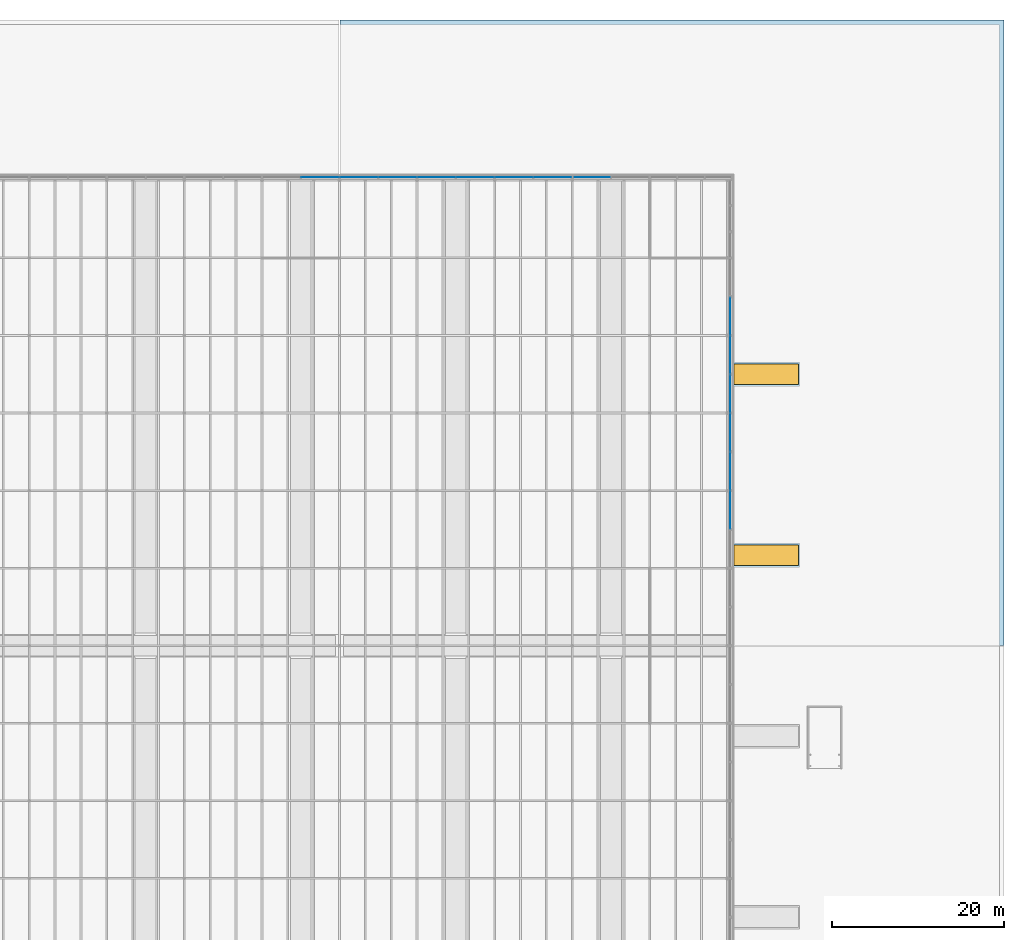
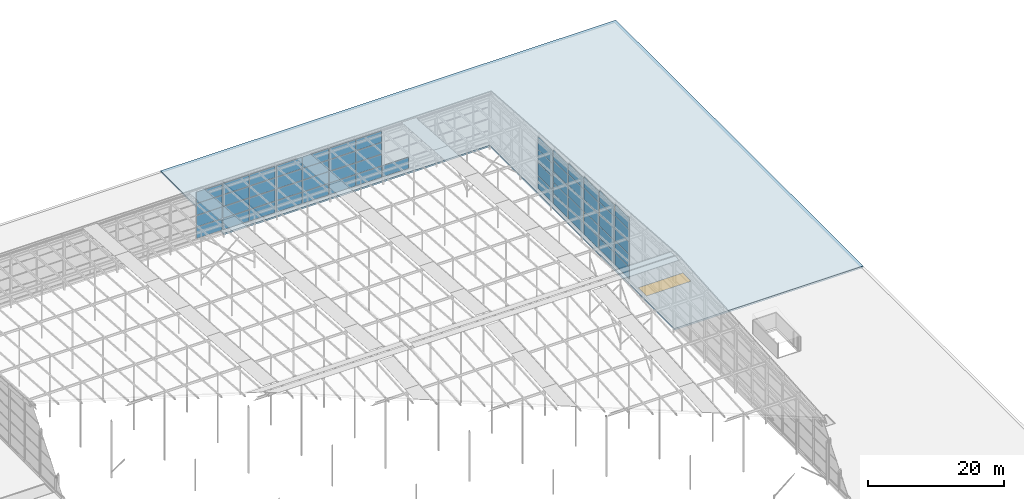
"""IFC4 building model written with IfcOpenShell, lengths in metres."""

import ifcopenshell
import ifcopenshell.guid

model = None  # the IFC model being written
_history = None  # IfcOwnerHistory: only IFC2X3 demands one
_inside = {}  # id of a spatial element -> (the spatial element, [elements in it])
_under = {}  # id of a project, library or spatial element -> (it, [spatial elements below it])
_declared = {}  # id of a project -> (the project, [libraries it declares])
_typed = {}  # id of a type object -> (the type object, [elements of that type])
_made_of = {}  # id of a material, layer set ... -> (it, [elements and type objects made of it])


def new_model(schema):
    """Start an empty IFC model of exactly this schema.

    Asked for "IFC4X3", IfcOpenShell would pick the latest addendum, in which some entities
    have other attributes; the version numbers below select the first issue.
    IFC2X3 requires an IfcOwnerHistory on every rooted entity: one is made here for all.
    """
    global model, _history
    if schema == "IFC4X3":
        model = ifcopenshell.file(schema_version=(4, 3, 0, 0))
    else:
        model = ifcopenshell.file(schema=schema)
    _inside.clear()
    _under.clear()
    _declared.clear()
    _typed.clear()
    _made_of.clear()
    _history = None
    if model.schema == "IFC2X3":
        org = make("IfcOrganization", Name="unknown")
        user = make(
            "IfcPersonAndOrganization",
            ThePerson=make("IfcPerson", FamilyName="unknown"),
            TheOrganization=org,
        )
        app = make(
            "IfcApplication",
            ApplicationDeveloper=org,
            Version="unknown",
            ApplicationFullName="unknown",
            ApplicationIdentifier="unknown",
        )
        _history = make(
            "IfcOwnerHistory",
            OwningUser=user,
            OwningApplication=app,
            ChangeAction="ADDED",
            CreationDate=0,
        )
    return model


def make(cls, **values):
    """One entity of the class cls with the attributes given. An attribute that is None is left unset."""
    return model.create_entity(
        cls, **{name: value for name, value in values.items() if value is not None}
    )


def rooted(cls, **values):
    """An entity with a GlobalId (a new one), such as an element, a storey or a relation."""
    return make(cls, GlobalId=ifcopenshell.guid.new(), OwnerHistory=_history, **values)


def si_unit(unit_type, name, prefix=None):
    """IfcSIUnit, for example si_unit("LENGTHUNIT", "METRE", prefix="MILLI")."""
    return make("IfcSIUnit", UnitType=unit_type, Prefix=prefix, Name=name)


def assignment(units):
    """IfcUnitAssignment: the units of a project."""
    return None if units is None else make("IfcUnitAssignment", Units=units)


def point(xyz):
    """IfcCartesianPoint."""
    return None if xyz is None else make("IfcCartesianPoint", Coordinates=xyz)


def direction(xyz):
    """IfcDirection."""
    return None if xyz is None else make("IfcDirection", DirectionRatios=xyz)


def frame(location, z_axis=None, x_axis=None):
    """IfcAxis2Placement3D, a coordinate frame: its origin and axes. An axis left out is left unset."""
    return make(
        "IfcAxis2Placement3D",
        Location=point(location),
        Axis=direction(z_axis),
        RefDirection=direction(x_axis),
    )


def frame_2d(location, x_axis=None):
    """IfcAxis2Placement2D, a coordinate frame in the plane: its origin and x axis."""
    return make(
        "IfcAxis2Placement2D", Location=point(location), RefDirection=direction(x_axis)
    )


def origin():
    """The frame at (0, 0, 0) with its axes left unset."""
    return frame((0.0, 0.0, 0.0))


def origin_2d():
    """The frame at (0, 0) in the plane with its x axis left unset."""
    return frame_2d((0.0, 0.0))


def place(relative_to, where):
    """IfcLocalPlacement: puts the frame where relative to a parent placement (None: the world)."""
    return make(
        "IfcLocalPlacement", PlacementRelTo=relative_to, RelativePlacement=where
    )


def context(
    kind, dimensions, precision=None, world=None, true_north=None, identifier=None
):
    """IfcGeometricRepresentationContext, for example the 3D "Model" context."""
    return make(
        "IfcGeometricRepresentationContext",
        ContextIdentifier=identifier,
        ContextType=kind,
        CoordinateSpaceDimension=dimensions,
        Precision=precision,
        WorldCoordinateSystem=world,
        TrueNorth=true_north,
    )


def subcontext(parent, identifier, kind, view, scale=None):
    """IfcGeometricRepresentationSubContext, for example "Body" below "Model"."""
    return make(
        "IfcGeometricRepresentationSubContext",
        ContextIdentifier=identifier,
        ContextType=kind,
        ParentContext=parent,
        TargetScale=scale,
        TargetView=view,
    )


def project(units=None, contexts=None):
    """IfcProject with its units and contexts."""
    return rooted(
        "IfcProject",
        Name="project",
        RepresentationContexts=contexts,
        UnitsInContext=assignment(units),
    )


def spatial(cls, under=None, at=None, **own):
    """A site, building, storey or space (cls), placed at a placement, below another one or the project."""
    s = rooted(cls, ObjectPlacement=at, **own)
    if under is not None:
        _under.setdefault(under.id(), (under, []))[1].append(s)
    return s


def polyline(points):
    """IfcPolyline through the points."""
    return make("IfcPolyline", Points=[point(p) for p in points])


def profile(cls, at=None, kind="AREA", **sizes):
    """A parametric profile (cls). Its sizes go by their IFC names, for example OverallWidth=200.0."""
    return make(cls, ProfileType=kind, Position=at, **sizes)


def rectangle(**sizes):
    """IfcRectangleProfileDef."""
    return profile("IfcRectangleProfileDef", **sizes)


def outline(outer, holes=None, kind="AREA"):
    """IfcArbitraryClosedProfileDef: a profile drawn as a closed curve; with holes, ...WithVoids."""
    if holes is None:
        return make("IfcArbitraryClosedProfileDef", ProfileType=kind, OuterCurve=outer)
    return make(
        "IfcArbitraryProfileDefWithVoids",
        ProfileType=kind,
        OuterCurve=outer,
        InnerCurves=holes,
    )


def extrude(swept, where, along, depth):
    """IfcExtrudedAreaSolid: the profile swept, set in the frame where, extruded along a direction by depth."""
    return make(
        "IfcExtrudedAreaSolid",
        SweptArea=swept,
        Position=where,
        ExtrudedDirection=direction(along),
        Depth=depth,
    )


def shape(context_of_items, identifier, shape_type, items):
    """IfcShapeRepresentation: the items that make up one representation, for example the "Body"."""
    return make(
        "IfcShapeRepresentation",
        ContextOfItems=context_of_items,
        RepresentationIdentifier=identifier,
        RepresentationType=shape_type,
        Items=items,
    )


def material(Name=None, Category=None):
    """IfcMaterial."""
    return make("IfcMaterial", Name=Name, Category=Category)


def layer(
    of_material, thickness, ventilated=None, Name=None, Category=None, Priority=None
):
    """IfcMaterialLayer: one layer of a wall or slab, of a material (None: an air gap)."""
    return make(
        "IfcMaterialLayer",
        Material=of_material,
        LayerThickness=thickness,
        IsVentilated=ventilated,
        Name=Name,
        Category=Category,
        Priority=Priority,
    )


def layer_set(layers, Name=None):
    """IfcMaterialLayerSet."""
    return make("IfcMaterialLayerSet", MaterialLayers=layers, LayerSetName=Name)


def made_of(thing, what):
    """Note that an element or type object is made of a material, layer set ...; save() writes the relation."""
    if what is not None:
        _made_of.setdefault(what.id(), (what, []))[1].append(thing)
    return thing


def type_object(cls, material=None, **own):
    """A type object (cls), such as IfcWallType, which elements share."""
    return made_of(rooted(cls, **own), material)


def element(
    cls,
    number,
    at=None,
    inside=None,
    cuts=None,
    type_object=None,
    material=None,
    context=None,
    identifier="Body",
    shape_type=None,
    held_by="IfcProductDefinitionShape",
    body=None,
    shapes=None,
    **own,
):
    """One element of the class cls, such as IfcWall. Its Tag is "e" and its number.

    at: its placement. inside: the storey or other place that contains it. cuts: it is an
    opening in that element (IfcRelVoidsElement). A single representation is given by context,
    identifier, shape_type and body (its items); several are given by shapes. held_by: the class
    of the entity that holds the representations. save() writes the other relations.
    """
    e = rooted(cls, Tag="e%d" % number, ObjectPlacement=at, **own)
    if body is not None:
        shapes = [shape(context, identifier, shape_type, body)]
    if shapes is not None:
        e.Representation = make(held_by, Representations=shapes)
    if inside is not None:
        _inside.setdefault(inside.id(), (inside, []))[1].append(e)
    if cuts is not None:
        rooted(
            "IfcRelVoidsElement", RelatingBuildingElement=cuts, RelatedOpeningElement=e
        )
    if type_object is not None:
        _typed.setdefault(type_object.id(), (type_object, []))[1].append(e)
    return made_of(e, material)


def fill(opening, filler):
    """IfcRelFillsElement: the door or window that sits in an opening."""
    return rooted(
        "IfcRelFillsElement",
        RelatingOpeningElement=opening,
        RelatedBuildingElement=filler,
    )


def aggregate(whole, parts):
    """IfcRelAggregates: a whole, such as a stair, and the parts it consists of."""
    return rooted("IfcRelAggregates", RelatingObject=whole, RelatedObjects=parts)


def save(model, path):
    """Write the relations noted so far, then the file.

    IfcRelAggregates (storeys below a building ...), IfcRelContainedInSpatialStructure (elements
    in a storey), IfcRelDefinesByType, IfcRelAssociatesMaterial and IfcRelDeclares: one each for
    every whole, place, type object, material and project.
    """
    for whole, parts in _under.values():
        aggregate(whole, parts)
    for where, things in _inside.values():
        rooted(
            "IfcRelContainedInSpatialStructure",
            RelatedElements=things,
            RelatingStructure=where,
        )
    for kind, things in _typed.values():
        rooted("IfcRelDefinesByType", RelatedObjects=things, RelatingType=kind)
    for what, things in _made_of.values():
        rooted("IfcRelAssociatesMaterial", RelatedObjects=things, RelatingMaterial=what)
    for by, libraries in _declared.values():
        rooted("IfcRelDeclares", RelatingContext=by, RelatedDefinitions=libraries)
    model.write(path)


model = new_model("IFC4")

# Units and contexts
model_context = context("Model", 3, precision=1e-05, world=origin(), true_north=direction((0.0, 1.0)))
body_context = subcontext(model_context, "Body", "Model", "MODEL_VIEW")
ifc_project = project(units=[si_unit("LENGTHUNIT", "METRE"), si_unit("AREAUNIT", "SQUARE_METRE"), si_unit("VOLUMEUNIT", "CUBIC_METRE"), si_unit("PLANEANGLEUNIT", "RADIAN"), si_unit("MASSUNIT", "GRAM", prefix="KILO")], contexts=[model_context])

# Site, building, storey
site_placement = place(None, origin())
site = spatial("IfcSite", under=ifc_project, at=site_placement, CompositionType="ELEMENT")
building_placement = place(site_placement, origin())
building = spatial("IfcBuilding", under=site, at=building_placement, Name="Silverbay Arena", CompositionType="ELEMENT")
storey_1_placement = place(building_placement, frame((0.0, 0.0, 47.10009765625)))
storey_1 = spatial("IfcBuildingStorey", under=building, at=storey_1_placement, Name="ROOF", CompositionType="ELEMENT", Elevation=47.10009765625)

# Curtain wall, plates
ifc_material_1 = material(Name="Aluminium framed glazing", Category="aluminium")
curtain_wall_type_1 = type_object("IfcCurtainWallType", Name="Curtain wall crown 9000 x 8425", PredefinedType="NOTDEFINED", material=ifc_material_1)
curtain_wall_1_placement = place(storey_1_placement, origin())
curtain_wall_1 = element("IfcCurtainWall", 1, at=curtain_wall_1_placement, inside=storey_1, type_object=curtain_wall_type_1, Name="ROOF CROWN CURTAIN WALL north bay 06", PredefinedType="NOTDEFINED")
ifc_material_2 = material(Name="Laminated glass", Category="glass")
ifc_layer_1 = layer(ifc_material_2, 0.031982421875)
ifc_layer_set_1 = layer_set([ifc_layer_1], Name="Laminated glass")
plate_type = type_object("IfcPlateType", Name="Glass panel 32", PredefinedType="CURTAIN_PANEL", material=ifc_layer_set_1)
storey_2_placement = place(building_placement, frame((0.0, 0.0, 33.5)))
plate_1_placement = place(storey_2_placement, frame((132.72509765625, 135.35009765625, 14.110107421875), z_axis=(0.0, 0.0, 1.0), x_axis=(1.0, 0.0, 0.0)))
plate_1 = element("IfcPlate", 2, at=plate_1_placement, type_object=plate_type, Name="CW62 panel 2.1", PredefinedType="CURTAIN_PANEL", context=body_context, shape_type="SweptSolid", body=[
    extrude(rectangle(XDim=4.35009765625, YDim=0.031982421875, at=origin_2d()), origin(), (0.0, 0.0, 1.0), 2.01611328125),
])
plate_2_placement = place(storey_2_placement, frame((132.72509765625, 135.35009765625, 16.18603515625), z_axis=(0.0, 0.0, 1.0), x_axis=(1.0, 0.0, 0.0)))
plate_2 = element("IfcPlate", 3, at=plate_2_placement, type_object=plate_type, Name="CW62 panel 2.2", PredefinedType="CURTAIN_PANEL", context=body_context, shape_type="SweptSolid", body=[
    extrude(rectangle(XDim=4.35009765625, YDim=0.031982421875, at=origin_2d()), origin(), (0.0, 0.0, 1.0), 2.046142578125),
])
plate_3_placement = place(storey_2_placement, frame((132.72509765625, 135.35009765625, 18.29248046875), z_axis=(0.0, 0.0, 1.0), x_axis=(1.0, 0.0, 0.0)))
plate_3 = element("IfcPlate", 4, at=plate_3_placement, type_object=plate_type, Name="CW62 panel 2.3", PredefinedType="CURTAIN_PANEL", context=body_context, shape_type="SweptSolid", body=[
    extrude(rectangle(XDim=4.35009765625, YDim=0.031982421875, at=origin_2d()), origin(), (0.0, 0.0, 1.0), 2.046142578125),
])
plate_4_placement = place(storey_2_placement, frame((132.72509765625, 135.35009765625, 20.398681640625), z_axis=(0.0, 0.0, 1.0), x_axis=(1.0, 0.0, 0.0)))
plate_4 = element("IfcPlate", 5, at=plate_4_placement, type_object=plate_type, Name="CW62 panel 2.4", PredefinedType="CURTAIN_PANEL", context=body_context, shape_type="SweptSolid", body=[
    extrude(rectangle(XDim=4.35009765625, YDim=0.031982421875, at=origin_2d()), origin(), (0.0, 0.0, 1.0), 2.01611328125),
])
aggregate(curtain_wall_1, [plate_1, plate_2, plate_3, plate_4])

curtain_wall_2_placement = place(storey_1_placement, origin())
curtain_wall_2 = element("IfcCurtainWall", 6, at=curtain_wall_2_placement, inside=storey_1, type_object=curtain_wall_type_1, Name="ROOF CROWN CURTAIN WALL north bay 07", PredefinedType="NOTDEFINED")
plate_5_placement = place(storey_2_placement, frame((137.27490234375, 135.35009765625, 14.110107421875), z_axis=(0.0, 0.0, 1.0), x_axis=(1.0, 0.0, 0.0)))
plate_5 = element("IfcPlate", 7, at=plate_5_placement, type_object=plate_type, Name="CW62 panel 1.1", PredefinedType="CURTAIN_PANEL", context=body_context, shape_type="SweptSolid", body=[
    extrude(rectangle(XDim=4.35009765625, YDim=0.031982421875, at=origin_2d()), origin(), (0.0, 0.0, 1.0), 2.01611328125),
])
plate_6_placement = place(storey_2_placement, frame((137.27490234375, 135.35009765625, 16.18603515625), z_axis=(0.0, 0.0, 1.0), x_axis=(1.0, 0.0, 0.0)))
plate_6 = element("IfcPlate", 8, at=plate_6_placement, type_object=plate_type, Name="CW62 panel 1.2", PredefinedType="CURTAIN_PANEL", context=body_context, shape_type="SweptSolid", body=[
    extrude(rectangle(XDim=4.35009765625, YDim=0.031982421875, at=origin_2d()), origin(), (0.0, 0.0, 1.0), 2.046142578125),
])
plate_7_placement = place(storey_2_placement, frame((137.27490234375, 135.35009765625, 18.29248046875), z_axis=(0.0, 0.0, 1.0), x_axis=(1.0, 0.0, 0.0)))
plate_7 = element("IfcPlate", 9, at=plate_7_placement, type_object=plate_type, Name="CW62 panel 1.3", PredefinedType="CURTAIN_PANEL", context=body_context, shape_type="SweptSolid", body=[
    extrude(rectangle(XDim=4.35009765625, YDim=0.031982421875, at=origin_2d()), origin(), (0.0, 0.0, 1.0), 2.046142578125),
])
plate_8_placement = place(storey_2_placement, frame((137.27490234375, 135.35009765625, 20.398681640625), z_axis=(0.0, 0.0, 1.0), x_axis=(1.0, 0.0, 0.0)))
plate_8 = element("IfcPlate", 10, at=plate_8_placement, type_object=plate_type, Name="CW62 panel 1.4", PredefinedType="CURTAIN_PANEL", context=body_context, shape_type="SweptSolid", body=[
    extrude(rectangle(XDim=4.35009765625, YDim=0.031982421875, at=origin_2d()), origin(), (0.0, 0.0, 1.0), 2.01611328125),
])
plate_9_placement = place(storey_2_placement, frame((141.72509765625, 135.35009765625, 14.110107421875), z_axis=(0.0, 0.0, 1.0), x_axis=(1.0, 0.0, 0.0)))
plate_9 = element("IfcPlate", 11, at=plate_9_placement, type_object=plate_type, Name="CW62 panel 2.1", PredefinedType="CURTAIN_PANEL", context=body_context, shape_type="SweptSolid", body=[
    extrude(rectangle(XDim=4.35009765625, YDim=0.031982421875, at=origin_2d()), origin(), (0.0, 0.0, 1.0), 2.01611328125),
])
plate_10_placement = place(storey_2_placement, frame((141.72509765625, 135.35009765625, 16.18603515625), z_axis=(0.0, 0.0, 1.0), x_axis=(1.0, 0.0, 0.0)))
plate_10 = element("IfcPlate", 12, at=plate_10_placement, type_object=plate_type, Name="CW62 panel 2.2", PredefinedType="CURTAIN_PANEL", context=body_context, shape_type="SweptSolid", body=[
    extrude(rectangle(XDim=4.35009765625, YDim=0.031982421875, at=origin_2d()), origin(), (0.0, 0.0, 1.0), 2.046142578125),
])
plate_11_placement = place(storey_2_placement, frame((141.72509765625, 135.35009765625, 18.29248046875), z_axis=(0.0, 0.0, 1.0), x_axis=(1.0, 0.0, 0.0)))
plate_11 = element("IfcPlate", 13, at=plate_11_placement, type_object=plate_type, Name="CW62 panel 2.3", PredefinedType="CURTAIN_PANEL", context=body_context, shape_type="SweptSolid", body=[
    extrude(rectangle(XDim=4.35009765625, YDim=0.031982421875, at=origin_2d()), origin(), (0.0, 0.0, 1.0), 2.046142578125),
])
plate_12_placement = place(storey_2_placement, frame((141.72509765625, 135.35009765625, 20.398681640625), z_axis=(0.0, 0.0, 1.0), x_axis=(1.0, 0.0, 0.0)))
plate_12 = element("IfcPlate", 14, at=plate_12_placement, type_object=plate_type, Name="CW62 panel 2.4", PredefinedType="CURTAIN_PANEL", context=body_context, shape_type="SweptSolid", body=[
    extrude(rectangle(XDim=4.35009765625, YDim=0.031982421875, at=origin_2d()), origin(), (0.0, 0.0, 1.0), 2.01611328125),
])
aggregate(curtain_wall_2, [plate_5, plate_6, plate_7, plate_8, plate_9, plate_10, plate_11, plate_12])

curtain_wall_3_placement = place(storey_1_placement, origin())
curtain_wall_3 = element("IfcCurtainWall", 15, at=curtain_wall_3_placement, inside=storey_1, type_object=curtain_wall_type_1, Name="ROOF CROWN CURTAIN WALL north bay 08", PredefinedType="NOTDEFINED")
plate_13_placement = place(storey_2_placement, frame((146.27490234375, 135.35009765625, 14.110107421875), z_axis=(0.0, 0.0, 1.0), x_axis=(1.0, 0.0, 0.0)))
plate_13 = element("IfcPlate", 16, at=plate_13_placement, type_object=plate_type, Name="CW62 panel 1.1", PredefinedType="CURTAIN_PANEL", context=body_context, shape_type="SweptSolid", body=[
    extrude(rectangle(XDim=4.35009765625, YDim=0.031982421875, at=origin_2d()), origin(), (0.0, 0.0, 1.0), 2.01611328125),
])
plate_14_placement = place(storey_2_placement, frame((146.27490234375, 135.35009765625, 16.18603515625), z_axis=(0.0, 0.0, 1.0), x_axis=(1.0, 0.0, 0.0)))
plate_14 = element("IfcPlate", 17, at=plate_14_placement, type_object=plate_type, Name="CW62 panel 1.2", PredefinedType="CURTAIN_PANEL", context=body_context, shape_type="SweptSolid", body=[
    extrude(rectangle(XDim=4.35009765625, YDim=0.031982421875, at=origin_2d()), origin(), (0.0, 0.0, 1.0), 2.046142578125),
])
plate_15_placement = place(storey_2_placement, frame((146.27490234375, 135.35009765625, 18.29248046875), z_axis=(0.0, 0.0, 1.0), x_axis=(1.0, 0.0, 0.0)))
plate_15 = element("IfcPlate", 18, at=plate_15_placement, type_object=plate_type, Name="CW62 panel 1.3", PredefinedType="CURTAIN_PANEL", context=body_context, shape_type="SweptSolid", body=[
    extrude(rectangle(XDim=4.35009765625, YDim=0.031982421875, at=origin_2d()), origin(), (0.0, 0.0, 1.0), 2.046142578125),
])
plate_16_placement = place(storey_2_placement, frame((146.27490234375, 135.35009765625, 20.398681640625), z_axis=(0.0, 0.0, 1.0), x_axis=(1.0, 0.0, 0.0)))
plate_16 = element("IfcPlate", 19, at=plate_16_placement, type_object=plate_type, Name="CW62 panel 1.4", PredefinedType="CURTAIN_PANEL", context=body_context, shape_type="SweptSolid", body=[
    extrude(rectangle(XDim=4.35009765625, YDim=0.031982421875, at=origin_2d()), origin(), (0.0, 0.0, 1.0), 2.01611328125),
])
plate_17_placement = place(storey_2_placement, frame((150.72509765625, 135.35009765625, 14.110107421875), z_axis=(0.0, 0.0, 1.0), x_axis=(1.0, 0.0, 0.0)))
plate_17 = element("IfcPlate", 20, at=plate_17_placement, type_object=plate_type, Name="CW62 panel 2.1", PredefinedType="CURTAIN_PANEL", context=body_context, shape_type="SweptSolid", body=[
    extrude(rectangle(XDim=4.35009765625, YDim=0.031982421875, at=origin_2d()), origin(), (0.0, 0.0, 1.0), 2.01611328125),
])
plate_18_placement = place(storey_2_placement, frame((150.72509765625, 135.35009765625, 16.18603515625), z_axis=(0.0, 0.0, 1.0), x_axis=(1.0, 0.0, 0.0)))
plate_18 = element("IfcPlate", 21, at=plate_18_placement, type_object=plate_type, Name="CW62 panel 2.2", PredefinedType="CURTAIN_PANEL", context=body_context, shape_type="SweptSolid", body=[
    extrude(rectangle(XDim=4.35009765625, YDim=0.031982421875, at=origin_2d()), origin(), (0.0, 0.0, 1.0), 2.046142578125),
])
plate_19_placement = place(storey_2_placement, frame((150.72509765625, 135.35009765625, 18.29248046875), z_axis=(0.0, 0.0, 1.0), x_axis=(1.0, 0.0, 0.0)))
plate_19 = element("IfcPlate", 22, at=plate_19_placement, type_object=plate_type, Name="CW62 panel 2.3", PredefinedType="CURTAIN_PANEL", context=body_context, shape_type="SweptSolid", body=[
    extrude(rectangle(XDim=4.35009765625, YDim=0.031982421875, at=origin_2d()), origin(), (0.0, 0.0, 1.0), 2.046142578125),
])
plate_20_placement = place(storey_2_placement, frame((150.72509765625, 135.35009765625, 20.398681640625), z_axis=(0.0, 0.0, 1.0), x_axis=(1.0, 0.0, 0.0)))
plate_20 = element("IfcPlate", 23, at=plate_20_placement, type_object=plate_type, Name="CW62 panel 2.4", PredefinedType="CURTAIN_PANEL", context=body_context, shape_type="SweptSolid", body=[
    extrude(rectangle(XDim=4.35009765625, YDim=0.031982421875, at=origin_2d()), origin(), (0.0, 0.0, 1.0), 2.01611328125),
])
aggregate(curtain_wall_3, [plate_13, plate_14, plate_15, plate_16, plate_17, plate_18, plate_19, plate_20])

curtain_wall_4_placement = place(storey_1_placement, origin())
curtain_wall_4 = element("IfcCurtainWall", 24, at=curtain_wall_4_placement, inside=storey_1, type_object=curtain_wall_type_1, Name="ROOF CROWN CURTAIN WALL north bay 09", PredefinedType="NOTDEFINED")
plate_21_placement = place(storey_2_placement, frame((155.27490234375, 135.35009765625, 14.110107421875), z_axis=(0.0, 0.0, 1.0), x_axis=(1.0, 0.0, 0.0)))
plate_21 = element("IfcPlate", 25, at=plate_21_placement, type_object=plate_type, Name="CW62 panel 1.1", PredefinedType="CURTAIN_PANEL", context=body_context, shape_type="SweptSolid", body=[
    extrude(rectangle(XDim=4.35009765625, YDim=0.031982421875, at=origin_2d()), origin(), (0.0, 0.0, 1.0), 2.01611328125),
])
plate_22_placement = place(storey_2_placement, frame((155.27490234375, 135.35009765625, 16.18603515625), z_axis=(0.0, 0.0, 1.0), x_axis=(1.0, 0.0, 0.0)))
plate_22 = element("IfcPlate", 26, at=plate_22_placement, type_object=plate_type, Name="CW62 panel 1.2", PredefinedType="CURTAIN_PANEL", context=body_context, shape_type="SweptSolid", body=[
    extrude(rectangle(XDim=4.35009765625, YDim=0.031982421875, at=origin_2d()), origin(), (0.0, 0.0, 1.0), 2.046142578125),
])
plate_23_placement = place(storey_2_placement, frame((155.27490234375, 135.35009765625, 18.29248046875), z_axis=(0.0, 0.0, 1.0), x_axis=(1.0, 0.0, 0.0)))
plate_23 = element("IfcPlate", 27, at=plate_23_placement, type_object=plate_type, Name="CW62 panel 1.3", PredefinedType="CURTAIN_PANEL", context=body_context, shape_type="SweptSolid", body=[
    extrude(rectangle(XDim=4.35009765625, YDim=0.031982421875, at=origin_2d()), origin(), (0.0, 0.0, 1.0), 2.046142578125),
])
plate_24_placement = place(storey_2_placement, frame((155.27490234375, 135.35009765625, 20.398681640625), z_axis=(0.0, 0.0, 1.0), x_axis=(1.0, 0.0, 0.0)))
plate_24 = element("IfcPlate", 28, at=plate_24_placement, type_object=plate_type, Name="CW62 panel 1.4", PredefinedType="CURTAIN_PANEL", context=body_context, shape_type="SweptSolid", body=[
    extrude(rectangle(XDim=4.35009765625, YDim=0.031982421875, at=origin_2d()), origin(), (0.0, 0.0, 1.0), 2.01611328125),
])
plate_25_placement = place(storey_2_placement, frame((159.72509765625, 135.35009765625, 14.110107421875), z_axis=(0.0, 0.0, 1.0), x_axis=(1.0, 0.0, 0.0)))
plate_25 = element("IfcPlate", 29, at=plate_25_placement, type_object=plate_type, Name="CW62 panel 2.1", PredefinedType="CURTAIN_PANEL", context=body_context, shape_type="SweptSolid", body=[
    extrude(rectangle(XDim=4.35009765625, YDim=0.031982421875, at=origin_2d()), origin(), (0.0, 0.0, 1.0), 2.01611328125),
])
plate_26_placement = place(storey_2_placement, frame((159.72509765625, 135.35009765625, 16.18603515625), z_axis=(0.0, 0.0, 1.0), x_axis=(1.0, 0.0, 0.0)))
plate_26 = element("IfcPlate", 30, at=plate_26_placement, type_object=plate_type, Name="CW62 panel 2.2", PredefinedType="CURTAIN_PANEL", context=body_context, shape_type="SweptSolid", body=[
    extrude(rectangle(XDim=4.35009765625, YDim=0.031982421875, at=origin_2d()), origin(), (0.0, 0.0, 1.0), 2.046142578125),
])
plate_27_placement = place(storey_2_placement, frame((159.72509765625, 135.35009765625, 18.29248046875), z_axis=(0.0, 0.0, 1.0), x_axis=(1.0, 0.0, 0.0)))
plate_27 = element("IfcPlate", 31, at=plate_27_placement, type_object=plate_type, Name="CW62 panel 2.3", PredefinedType="CURTAIN_PANEL", context=body_context, shape_type="SweptSolid", body=[
    extrude(rectangle(XDim=4.35009765625, YDim=0.031982421875, at=origin_2d()), origin(), (0.0, 0.0, 1.0), 2.046142578125),
])
plate_28_placement = place(storey_2_placement, frame((159.72509765625, 135.35009765625, 20.398681640625), z_axis=(0.0, 0.0, 1.0), x_axis=(1.0, 0.0, 0.0)))
plate_28 = element("IfcPlate", 32, at=plate_28_placement, type_object=plate_type, Name="CW62 panel 2.4", PredefinedType="CURTAIN_PANEL", context=body_context, shape_type="SweptSolid", body=[
    extrude(rectangle(XDim=4.35009765625, YDim=0.031982421875, at=origin_2d()), origin(), (0.0, 0.0, 1.0), 2.01611328125),
])
aggregate(curtain_wall_4, [plate_21, plate_22, plate_23, plate_24, plate_25, plate_26, plate_27, plate_28])

# Curtain wall, plate
curtain_wall_5_placement = place(storey_1_placement, origin())
curtain_wall_5 = element("IfcCurtainWall", 33, at=curtain_wall_5_placement, inside=storey_1, type_object=curtain_wall_type_1, Name="ROOF CROWN CURTAIN WALL north bay 10", PredefinedType="NOTDEFINED")
plate_29_placement = place(storey_2_placement, frame((164.27490234375, 135.35009765625, 14.110107421875), z_axis=(0.0, 0.0, 1.0), x_axis=(1.0, 0.0, 0.0)))
plate_29 = element("IfcPlate", 34, at=plate_29_placement, type_object=plate_type, Name="CW62 panel 1.1", PredefinedType="CURTAIN_PANEL", context=body_context, shape_type="SweptSolid", body=[
    extrude(rectangle(XDim=4.35009765625, YDim=0.031982421875, at=origin_2d()), origin(), (0.0, 0.0, 1.0), 2.01611328125),
])
aggregate(curtain_wall_5, [plate_29])

# Curtain wall, plates
ifc_material_3 = material(Name="Aluminium framed glazing", Category="aluminium")
curtain_wall_type_2 = type_object("IfcCurtainWallType", Name="Curtain wall crown 4500 x 11050", PredefinedType="NOTDEFINED", material=ifc_material_3)
curtain_wall_6_placement = place(storey_1_placement, origin())
curtain_wall_6 = element("IfcCurtainWall", 35, at=curtain_wall_6_placement, inside=storey_1, type_object=curtain_wall_type_2, Name="ROOF CROWN CURTAIN WALL east bay 17", PredefinedType="NOTDEFINED")
plate_30_placement = place(storey_2_placement, frame((180.35009765625, 96.75, 14.10986328125), z_axis=(0.0, 0.0, 1.0), x_axis=(0.0, 1.0, 0.0)))
plate_30 = element("IfcPlate", 36, at=plate_30_placement, type_object=plate_type, Name="CW72 panel 1.1", PredefinedType="CURTAIN_PANEL", context=body_context, shape_type="SweptSolid", body=[
    extrude(rectangle(XDim=4.300048828125, YDim=0.031982421875, at=origin_2d()), origin(), (0.0, 0.0, 1.0), 2.1201171875),
])
plate_31_placement = place(storey_2_placement, frame((180.35009765625, 96.75, 16.2900390625), z_axis=(0.0, 0.0, 1.0), x_axis=(0.0, 1.0, 0.0)))
plate_31 = element("IfcPlate", 37, at=plate_31_placement, type_object=plate_type, Name="CW72 panel 1.2", PredefinedType="CURTAIN_PANEL", context=body_context, shape_type="SweptSolid", body=[
    extrude(rectangle(XDim=4.300048828125, YDim=0.031982421875, at=origin_2d()), origin(), (0.0, 0.0, 1.0), 2.14990234375),
])
plate_32_placement = place(storey_2_placement, frame((180.35009765625, 96.75, 18.5), z_axis=(0.0, 0.0, 1.0), x_axis=(0.0, 1.0, 0.0)))
plate_32 = element("IfcPlate", 38, at=plate_32_placement, type_object=plate_type, Name="CW72 panel 1.3", PredefinedType="CURTAIN_PANEL", context=body_context, shape_type="SweptSolid", body=[
    extrude(rectangle(XDim=4.300048828125, YDim=0.031982421875, at=origin_2d()), origin(), (0.0, 0.0, 1.0), 2.14990234375),
])
plate_33_placement = place(storey_2_placement, frame((180.35009765625, 96.75, 20.7099609375), z_axis=(0.0, 0.0, 1.0), x_axis=(0.0, 1.0, 0.0)))
plate_33 = element("IfcPlate", 39, at=plate_33_placement, type_object=plate_type, Name="CW72 panel 1.4", PredefinedType="CURTAIN_PANEL", context=body_context, shape_type="SweptSolid", body=[
    extrude(rectangle(XDim=4.300048828125, YDim=0.031982421875, at=origin_2d()), origin(), (0.0, 0.0, 1.0), 2.14990234375),
])
plate_34_placement = place(storey_2_placement, frame((180.35009765625, 96.75, 22.919921875), z_axis=(0.0, 0.0, 1.0), x_axis=(0.0, 1.0, 0.0)))
plate_34 = element("IfcPlate", 40, at=plate_34_placement, type_object=plate_type, Name="CW72 panel 1.5", PredefinedType="CURTAIN_PANEL", context=body_context, shape_type="SweptSolid", body=[
    extrude(rectangle(XDim=4.300048828125, YDim=0.031982421875, at=origin_2d()), origin(), (0.0, 0.0, 1.0), 2.1201171875),
])
aggregate(curtain_wall_6, [plate_30, plate_31, plate_32, plate_33, plate_34])

ifc_material_4 = material(Name="Aluminium framed glazing", Category="aluminium")
curtain_wall_type_3 = type_object("IfcCurtainWallType", Name="Curtain wall crown 4500 x 10725", PredefinedType="NOTDEFINED", material=ifc_material_4)
curtain_wall_7_placement = place(storey_1_placement, origin())
curtain_wall_7 = element("IfcCurtainWall", 41, at=curtain_wall_7_placement, inside=storey_1, type_object=curtain_wall_type_3, Name="ROOF CROWN CURTAIN WALL east bay 18", PredefinedType="NOTDEFINED")
plate_35_placement = place(storey_2_placement, frame((180.35009765625, 101.25, 14.10986328125), z_axis=(0.0, 0.0, 1.0), x_axis=(0.0, 1.0, 0.0)))
plate_35 = element("IfcPlate", 42, at=plate_35_placement, type_object=plate_type, Name="CW71 panel 1.1", PredefinedType="CURTAIN_PANEL", context=body_context, shape_type="SweptSolid", body=[
    extrude(rectangle(XDim=4.300048828125, YDim=0.031982421875, at=origin_2d()), origin(), (0.0, 0.0, 1.0), 2.054931640625),
])
plate_36_placement = place(storey_2_placement, frame((180.35009765625, 101.25, 16.22509765625), z_axis=(0.0, 0.0, 1.0), x_axis=(0.0, 1.0, 0.0)))
plate_36 = element("IfcPlate", 43, at=plate_36_placement, type_object=plate_type, Name="CW71 panel 1.2", PredefinedType="CURTAIN_PANEL", context=body_context, shape_type="SweptSolid", body=[
    extrude(rectangle(XDim=4.300048828125, YDim=0.031982421875, at=origin_2d()), origin(), (0.0, 0.0, 1.0), 2.0849609375),
])
plate_37_placement = place(storey_2_placement, frame((180.35009765625, 101.25, 18.3701171875), z_axis=(0.0, 0.0, 1.0), x_axis=(0.0, 1.0, 0.0)))
plate_37 = element("IfcPlate", 44, at=plate_37_placement, type_object=plate_type, Name="CW71 panel 1.3", PredefinedType="CURTAIN_PANEL", context=body_context, shape_type="SweptSolid", body=[
    extrude(rectangle(XDim=4.300048828125, YDim=0.031982421875, at=origin_2d()), origin(), (0.0, 0.0, 1.0), 2.0849609375),
])
plate_38_placement = place(storey_2_placement, frame((180.35009765625, 101.25, 20.51513671875), z_axis=(0.0, 0.0, 1.0), x_axis=(0.0, 1.0, 0.0)))
plate_38 = element("IfcPlate", 45, at=plate_38_placement, type_object=plate_type, Name="CW71 panel 1.4", PredefinedType="CURTAIN_PANEL", context=body_context, shape_type="SweptSolid", body=[
    extrude(rectangle(XDim=4.300048828125, YDim=0.031982421875, at=origin_2d()), origin(), (0.0, 0.0, 1.0), 2.0849609375),
])
plate_39_placement = place(storey_2_placement, frame((180.35009765625, 101.25, 22.66015625), z_axis=(0.0, 0.0, 1.0), x_axis=(0.0, 1.0, 0.0)))
plate_39 = element("IfcPlate", 46, at=plate_39_placement, type_object=plate_type, Name="CW71 panel 1.5", PredefinedType="CURTAIN_PANEL", context=body_context, shape_type="SweptSolid", body=[
    extrude(rectangle(XDim=4.300048828125, YDim=0.031982421875, at=origin_2d()), origin(), (0.0, 0.0, 1.0), 2.054931640625),
])
aggregate(curtain_wall_7, [plate_35, plate_36, plate_37, plate_38, plate_39])

ifc_material_5 = material(Name="Aluminium framed glazing", Category="aluminium")
curtain_wall_type_4 = type_object("IfcCurtainWallType", Name="Curtain wall crown 4500 x 10400", PredefinedType="NOTDEFINED", material=ifc_material_5)
curtain_wall_8_placement = place(storey_1_placement, origin())
curtain_wall_8 = element("IfcCurtainWall", 47, at=curtain_wall_8_placement, inside=storey_1, type_object=curtain_wall_type_4, Name="ROOF CROWN CURTAIN WALL east bay 19", PredefinedType="NOTDEFINED")
plate_40_placement = place(storey_2_placement, frame((180.35009765625, 105.75, 14.10986328125), z_axis=(0.0, 0.0, 1.0), x_axis=(0.0, 1.0, 0.0)))
plate_40 = element("IfcPlate", 48, at=plate_40_placement, type_object=plate_type, Name="CW70 panel 1.1", PredefinedType="CURTAIN_PANEL", context=body_context, shape_type="SweptSolid", body=[
    extrude(rectangle(XDim=4.300048828125, YDim=0.031982421875, at=origin_2d()), origin(), (0.0, 0.0, 1.0), 1.989990234375),
])
plate_41_placement = place(storey_2_placement, frame((180.35009765625, 105.75, 16.159912109375), z_axis=(0.0, 0.0, 1.0), x_axis=(0.0, 1.0, 0.0)))
plate_41 = element("IfcPlate", 49, at=plate_41_placement, type_object=plate_type, Name="CW70 panel 1.2", PredefinedType="CURTAIN_PANEL", context=body_context, shape_type="SweptSolid", body=[
    extrude(rectangle(XDim=4.300048828125, YDim=0.031982421875, at=origin_2d()), origin(), (0.0, 0.0, 1.0), 2.02001953125),
])
plate_42_placement = place(storey_2_placement, frame((180.35009765625, 105.75, 18.239990234375), z_axis=(0.0, 0.0, 1.0), x_axis=(0.0, 1.0, 0.0)))
plate_42 = element("IfcPlate", 50, at=plate_42_placement, type_object=plate_type, Name="CW70 panel 1.3", PredefinedType="CURTAIN_PANEL", context=body_context, shape_type="SweptSolid", body=[
    extrude(rectangle(XDim=4.300048828125, YDim=0.031982421875, at=origin_2d()), origin(), (0.0, 0.0, 1.0), 2.02001953125),
])
plate_43_placement = place(storey_2_placement, frame((180.35009765625, 105.75, 20.320068359375), z_axis=(0.0, 0.0, 1.0), x_axis=(0.0, 1.0, 0.0)))
plate_43 = element("IfcPlate", 51, at=plate_43_placement, type_object=plate_type, Name="CW70 panel 1.4", PredefinedType="CURTAIN_PANEL", context=body_context, shape_type="SweptSolid", body=[
    extrude(rectangle(XDim=4.300048828125, YDim=0.031982421875, at=origin_2d()), origin(), (0.0, 0.0, 1.0), 2.02001953125),
])
plate_44_placement = place(storey_2_placement, frame((180.35009765625, 105.75, 22.39990234375), z_axis=(0.0, 0.0, 1.0), x_axis=(0.0, 1.0, 0.0)))
plate_44 = element("IfcPlate", 52, at=plate_44_placement, type_object=plate_type, Name="CW70 panel 1.5", PredefinedType="CURTAIN_PANEL", context=body_context, shape_type="SweptSolid", body=[
    extrude(rectangle(XDim=4.300048828125, YDim=0.031982421875, at=origin_2d()), origin(), (0.0, 0.0, 1.0), 1.989990234375),
])
aggregate(curtain_wall_8, [plate_40, plate_41, plate_42, plate_43, plate_44])

ifc_material_6 = material(Name="Aluminium framed glazing", Category="aluminium")
curtain_wall_type_5 = type_object("IfcCurtainWallType", Name="Curtain wall crown 4500 x 10075", PredefinedType="NOTDEFINED", material=ifc_material_6)
curtain_wall_9_placement = place(storey_1_placement, origin())
curtain_wall_9 = element("IfcCurtainWall", 53, at=curtain_wall_9_placement, inside=storey_1, type_object=curtain_wall_type_5, Name="ROOF CROWN CURTAIN WALL east bay 20", PredefinedType="NOTDEFINED")
plate_45_placement = place(storey_2_placement, frame((180.35009765625, 110.25, 14.10986328125), z_axis=(0.0, 0.0, 1.0), x_axis=(0.0, 1.0, 0.0)))
plate_45 = element("IfcPlate", 54, at=plate_45_placement, type_object=plate_type, Name="CW69 panel 1.1", PredefinedType="CURTAIN_PANEL", context=body_context, shape_type="SweptSolid", body=[
    extrude(rectangle(XDim=4.300048828125, YDim=0.031982421875, at=origin_2d()), origin(), (0.0, 0.0, 1.0), 1.925048828125),
])
plate_46_placement = place(storey_2_placement, frame((180.35009765625, 110.25, 16.094970703125), z_axis=(0.0, 0.0, 1.0), x_axis=(0.0, 1.0, 0.0)))
plate_46 = element("IfcPlate", 55, at=plate_46_placement, type_object=plate_type, Name="CW69 panel 1.2", PredefinedType="CURTAIN_PANEL", context=body_context, shape_type="SweptSolid", body=[
    extrude(rectangle(XDim=4.300048828125, YDim=0.031982421875, at=origin_2d()), origin(), (0.0, 0.0, 1.0), 1.955078125),
])
plate_47_placement = place(storey_2_placement, frame((180.35009765625, 110.25, 18.10986328125), z_axis=(0.0, 0.0, 1.0), x_axis=(0.0, 1.0, 0.0)))
plate_47 = element("IfcPlate", 56, at=plate_47_placement, type_object=plate_type, Name="CW69 panel 1.3", PredefinedType="CURTAIN_PANEL", context=body_context, shape_type="SweptSolid", body=[
    extrude(rectangle(XDim=4.300048828125, YDim=0.031982421875, at=origin_2d()), origin(), (0.0, 0.0, 1.0), 1.955078125),
])
plate_48_placement = place(storey_2_placement, frame((180.35009765625, 110.25, 20.125), z_axis=(0.0, 0.0, 1.0), x_axis=(0.0, 1.0, 0.0)))
plate_48 = element("IfcPlate", 57, at=plate_48_placement, type_object=plate_type, Name="CW69 panel 1.4", PredefinedType="CURTAIN_PANEL", context=body_context, shape_type="SweptSolid", body=[
    extrude(rectangle(XDim=4.300048828125, YDim=0.031982421875, at=origin_2d()), origin(), (0.0, 0.0, 1.0), 1.955078125),
])
plate_49_placement = place(storey_2_placement, frame((180.35009765625, 110.25, 22.14013671875), z_axis=(0.0, 0.0, 1.0), x_axis=(0.0, 1.0, 0.0)))
plate_49 = element("IfcPlate", 58, at=plate_49_placement, type_object=plate_type, Name="CW69 panel 1.5", PredefinedType="CURTAIN_PANEL", context=body_context, shape_type="SweptSolid", body=[
    extrude(rectangle(XDim=4.300048828125, YDim=0.031982421875, at=origin_2d()), origin(), (0.0, 0.0, 1.0), 1.925048828125),
])
aggregate(curtain_wall_9, [plate_45, plate_46, plate_47, plate_48, plate_49])

ifc_material_7 = material(Name="Aluminium framed glazing", Category="aluminium")
curtain_wall_type_6 = type_object("IfcCurtainWallType", Name="Curtain wall crown 4500 x 9750", PredefinedType="NOTDEFINED", material=ifc_material_7)
curtain_wall_10_placement = place(storey_1_placement, origin())
curtain_wall_10 = element("IfcCurtainWall", 59, at=curtain_wall_10_placement, inside=storey_1, type_object=curtain_wall_type_6, Name="ROOF CROWN CURTAIN WALL east bay 21", PredefinedType="NOTDEFINED")
plate_50_placement = place(storey_2_placement, frame((180.35009765625, 114.75, 14.10986328125), z_axis=(0.0, 0.0, 1.0), x_axis=(0.0, 1.0, 0.0)))
plate_50 = element("IfcPlate", 60, at=plate_50_placement, type_object=plate_type, Name="CW68 panel 1.1", PredefinedType="CURTAIN_PANEL", context=body_context, shape_type="SweptSolid", body=[
    extrude(rectangle(XDim=4.300048828125, YDim=0.031982421875, at=origin_2d()), origin(), (0.0, 0.0, 1.0), 1.860107421875),
])
plate_51_placement = place(storey_2_placement, frame((180.35009765625, 114.75, 16.0302734375), z_axis=(0.0, 0.0, 1.0), x_axis=(0.0, 1.0, 0.0)))
plate_51 = element("IfcPlate", 61, at=plate_51_placement, type_object=plate_type, Name="CW68 panel 1.2", PredefinedType="CURTAIN_PANEL", context=body_context, shape_type="SweptSolid", body=[
    extrude(rectangle(XDim=4.300048828125, YDim=0.031982421875, at=origin_2d()), origin(), (0.0, 0.0, 1.0), 1.889892578125),
])
plate_52_placement = place(storey_2_placement, frame((180.35009765625, 114.75, 17.97998046875), z_axis=(0.0, 0.0, 1.0), x_axis=(0.0, 1.0, 0.0)))
plate_52 = element("IfcPlate", 62, at=plate_52_placement, type_object=plate_type, Name="CW68 panel 1.3", PredefinedType="CURTAIN_PANEL", context=body_context, shape_type="SweptSolid", body=[
    extrude(rectangle(XDim=4.300048828125, YDim=0.031982421875, at=origin_2d()), origin(), (0.0, 0.0, 1.0), 1.889892578125),
])
plate_53_placement = place(storey_2_placement, frame((180.35009765625, 114.75, 19.93017578125), z_axis=(0.0, 0.0, 1.0), x_axis=(0.0, 1.0, 0.0)))
plate_53 = element("IfcPlate", 63, at=plate_53_placement, type_object=plate_type, Name="CW68 panel 1.4", PredefinedType="CURTAIN_PANEL", context=body_context, shape_type="SweptSolid", body=[
    extrude(rectangle(XDim=4.300048828125, YDim=0.031982421875, at=origin_2d()), origin(), (0.0, 0.0, 1.0), 1.889892578125),
])
plate_54_placement = place(storey_2_placement, frame((180.35009765625, 114.75, 21.8798828125), z_axis=(0.0, 0.0, 1.0), x_axis=(0.0, 1.0, 0.0)))
plate_54 = element("IfcPlate", 64, at=plate_54_placement, type_object=plate_type, Name="CW68 panel 1.5", PredefinedType="CURTAIN_PANEL", context=body_context, shape_type="SweptSolid", body=[
    extrude(rectangle(XDim=4.300048828125, YDim=0.031982421875, at=origin_2d()), origin(), (0.0, 0.0, 1.0), 1.860107421875),
])
aggregate(curtain_wall_10, [plate_50, plate_51, plate_52, plate_53, plate_54])

ifc_material_8 = material(Name="Aluminium framed glazing", Category="aluminium")
curtain_wall_type_7 = type_object("IfcCurtainWallType", Name="Curtain wall crown 4500 x 9425", PredefinedType="NOTDEFINED", material=ifc_material_8)
curtain_wall_11_placement = place(storey_1_placement, origin())
curtain_wall_11 = element("IfcCurtainWall", 65, at=curtain_wall_11_placement, inside=storey_1, type_object=curtain_wall_type_7, Name="ROOF CROWN CURTAIN WALL east bay 22", PredefinedType="NOTDEFINED")
plate_55_placement = place(storey_2_placement, frame((180.35009765625, 119.25, 14.10986328125), z_axis=(0.0, 0.0, 1.0), x_axis=(0.0, 1.0, 0.0)))
plate_55 = element("IfcPlate", 66, at=plate_55_placement, type_object=plate_type, Name="CW67 panel 1.1", PredefinedType="CURTAIN_PANEL", context=body_context, shape_type="SweptSolid", body=[
    extrude(rectangle(XDim=4.300048828125, YDim=0.031982421875, at=origin_2d()), origin(), (0.0, 0.0, 1.0), 2.266357421875),
])
plate_56_placement = place(storey_2_placement, frame((180.35009765625, 119.25, 16.4365234375), z_axis=(0.0, 0.0, 1.0), x_axis=(0.0, 1.0, 0.0)))
plate_56 = element("IfcPlate", 67, at=plate_56_placement, type_object=plate_type, Name="CW67 panel 1.2", PredefinedType="CURTAIN_PANEL", context=body_context, shape_type="SweptSolid", body=[
    extrude(rectangle(XDim=4.300048828125, YDim=0.031982421875, at=origin_2d()), origin(), (0.0, 0.0, 1.0), 2.296142578125),
])
plate_57_placement = place(storey_2_placement, frame((180.35009765625, 119.25, 18.79248046875), z_axis=(0.0, 0.0, 1.0), x_axis=(0.0, 1.0, 0.0)))
plate_57 = element("IfcPlate", 68, at=plate_57_placement, type_object=plate_type, Name="CW67 panel 1.3", PredefinedType="CURTAIN_PANEL", context=body_context, shape_type="SweptSolid", body=[
    extrude(rectangle(XDim=4.300048828125, YDim=0.031982421875, at=origin_2d()), origin(), (0.0, 0.0, 1.0), 2.296142578125),
])
plate_58_placement = place(storey_2_placement, frame((180.35009765625, 119.25, 21.14892578125), z_axis=(0.0, 0.0, 1.0), x_axis=(0.0, 1.0, 0.0)))
plate_58 = element("IfcPlate", 69, at=plate_58_placement, type_object=plate_type, Name="CW67 panel 1.4", PredefinedType="CURTAIN_PANEL", context=body_context, shape_type="SweptSolid", body=[
    extrude(rectangle(XDim=4.300048828125, YDim=0.031982421875, at=origin_2d()), origin(), (0.0, 0.0, 1.0), 2.266357421875),
])
aggregate(curtain_wall_11, [plate_55, plate_56, plate_57, plate_58])

# Slab, openings
ifc_material_9 = material(Name="Steel S350GD", Category="steel")
ifc_layer_2 = layer(ifc_material_9, 0.300048828125)
ifc_layer_set_2 = layer_set([ifc_layer_2], Name="Steel S350GD")
slab_type = type_object("IfcSlabType", Name="Roof deck 300", PredefinedType="ROOF", material=ifc_layer_set_2)
slab_placement = place(storey_1_placement, frame((0.0, 0.0, -0.300048828125)))
slab = element("IfcSlab", 70, at=slab_placement, inside=storey_1, type_object=slab_type, Name="ROOF DECK north-east", PredefinedType="ROOF", context=body_context, shape_type="SweptSolid", body=[
    extrude(outline(polyline([(135.044921875, 153.60009765625), (135.044921875, 135.125), (180.125, 135.125), (180.125, 81.02490234375), (212.10009765625, 81.02490234375), (212.10009765625, 153.60009765625), (135.044921875, 153.60009765625)])), origin(), (0.0, 0.0, 1.0), 0.300048828125),
])
opening_1_placement = place(slab_placement, frame((184.5, 91.5, 0.0)))
opening_1 = element("IfcOpeningElement", 71, at=opening_1_placement, cuts=slab, Name="Opening RL1", PredefinedType="OPENING", context=body_context, shape_type="SweptSolid", body=[
    extrude(rectangle(XDim=7.5, YDim=2.39990234375, at=origin_2d()), origin(), (0.0, 0.0, 1.0), 0.300048828125),
])
opening_2_placement = place(slab_placement, frame((184.5, 112.5, 0.0)))
opening_2 = element("IfcOpeningElement", 72, at=opening_2_placement, cuts=slab, Name="Opening RL1", PredefinedType="OPENING", context=body_context, shape_type="SweptSolid", body=[
    extrude(rectangle(XDim=7.5, YDim=2.39990234375, at=origin_2d()), origin(), (0.0, 0.0, 1.0), 0.300048828125),
])

# Storey
storey_2 = spatial("IfcBuildingStorey", under=building, at=storey_2_placement, Name="L05", CompositionType="ELEMENT", Elevation=33.5)

# Window
ifc_material_10 = material(Name="Aluminium framed glazing", Category="aluminium")
window_type = type_object("IfcWindowType", Name="Roof light 7500x2400", PartitioningType="SINGLE_PANEL", PredefinedType="SKYLIGHT", material=ifc_material_10)
window_1_placement = place(opening_1_placement, frame((0.0, 0.0, 0.25)))
window_1 = element("IfcWindow", 73, at=window_1_placement, inside=storey_2, type_object=window_type, Name="Roof light NE 06", OverallHeight=2.39990234375, OverallWidth=7.5, PartitioningType="SINGLE_PANEL", PredefinedType="SKYLIGHT", context=body_context, shape_type="SweptSolid", body=[
    extrude(rectangle(XDim=7.5, YDim=2.39990234375, at=origin_2d()), origin(), (0.0, 0.0, 1.0), 0.050048828125),
])

fill(opening_1, window_1)

window_2_placement = place(opening_2_placement, frame((0.0, 0.0, 0.25)))
window_2 = element("IfcWindow", 74, at=window_2_placement, inside=storey_2, type_object=window_type, Name="Roof light NE 08", OverallHeight=2.39990234375, OverallWidth=7.5, PartitioningType="SINGLE_PANEL", PredefinedType="SKYLIGHT", context=body_context, shape_type="SweptSolid", body=[
    extrude(rectangle(XDim=7.5, YDim=2.39990234375, at=origin_2d()), origin(), (0.0, 0.0, 1.0), 0.050048828125),
])

fill(opening_2, window_2)

save(model, "model.ifc")
